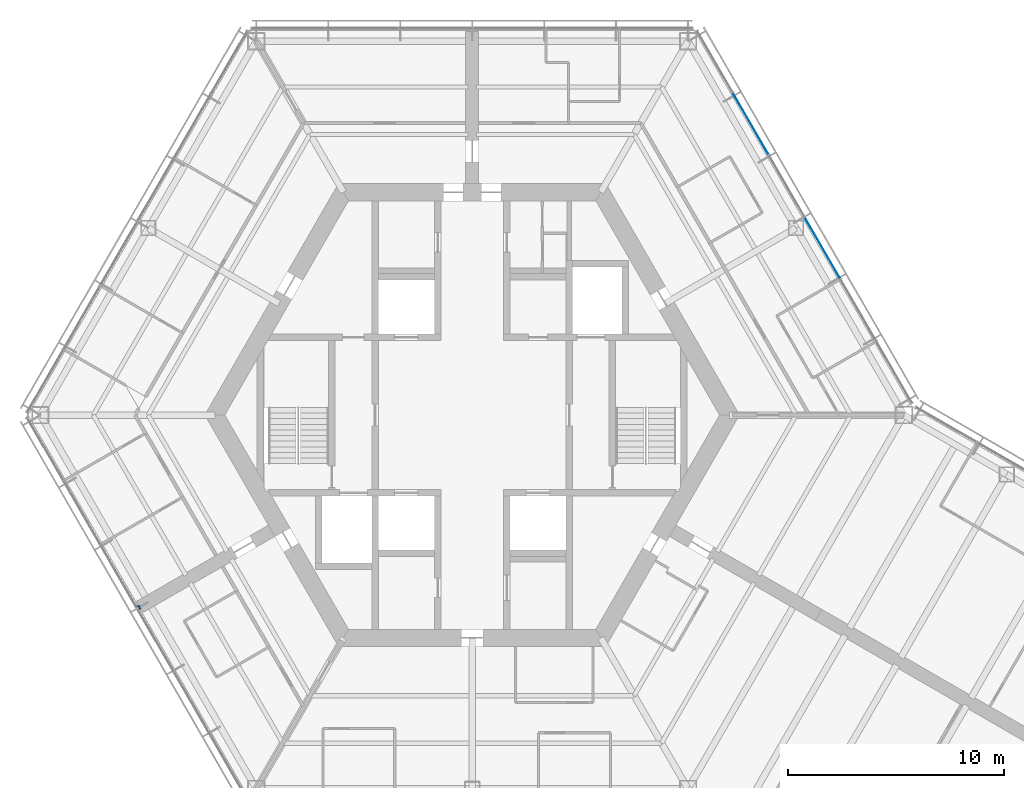
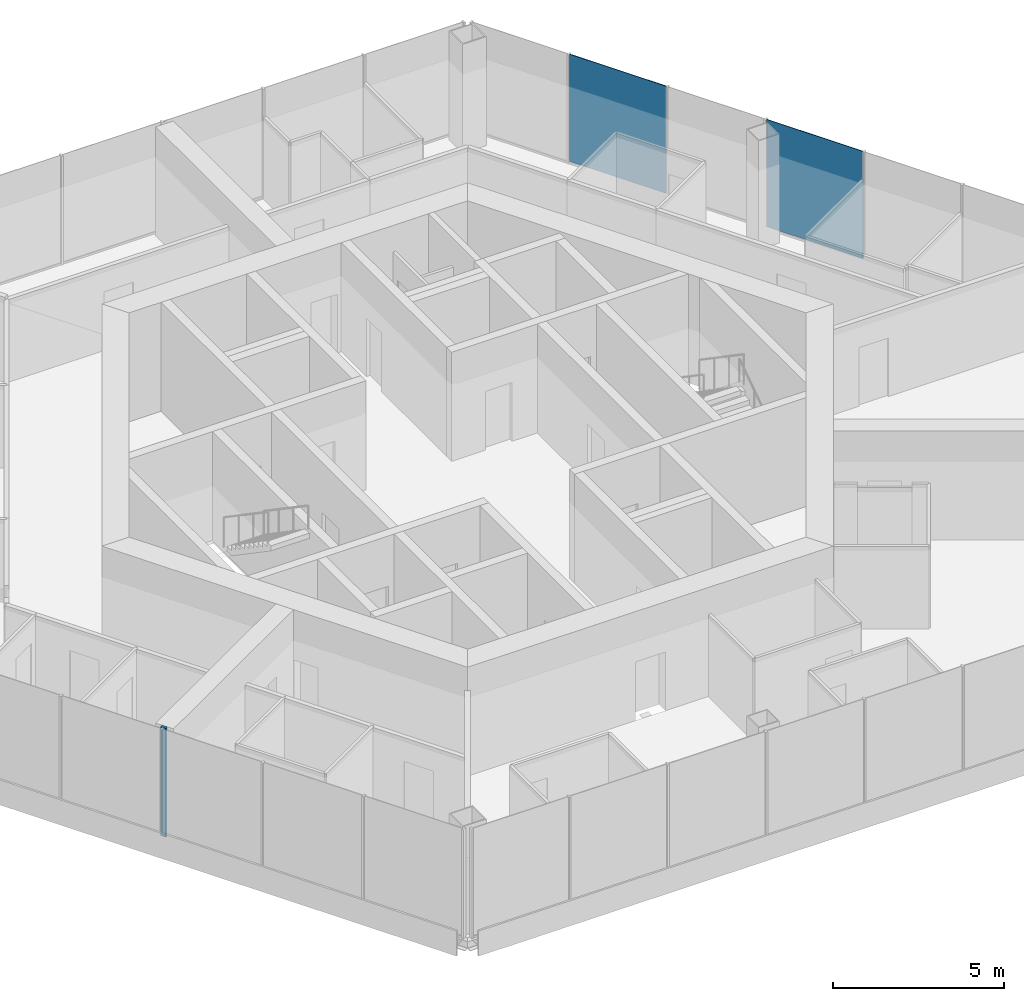
# One storey, part 9 of 17: 2 plates, 1 wall, 1 element without a shape of its own.
"""IFC4 building model written with IfcOpenShell, lengths in metres."""

from ifc_helpers import new_model, si_unit, direction, frame, frame_2d, origin, origin_2d, place, context, subcontext, project, spatial, rectangle, extrude, material, layer, layer_set, type_object, element, aggregate, save


model = new_model("IFC4")

# Units and contexts
model_context = context("Model", 3, precision=1e-05, world=origin(), true_north=direction((0.0, 1.0)))
body_context = subcontext(model_context, "Body", "Model", "MODEL_VIEW")
ifc_project = project(units=[si_unit("LENGTHUNIT", "METRE"), si_unit("AREAUNIT", "SQUARE_METRE"), si_unit("VOLUMEUNIT", "CUBIC_METRE"), si_unit("PLANEANGLEUNIT", "RADIAN"), si_unit("MASSUNIT", "GRAM", prefix="KILO")], contexts=[model_context])

# Site, building, storey
site_placement = place(None, origin())
site = spatial("IfcSite", under=ifc_project, at=site_placement, CompositionType="ELEMENT")
building_placement = place(site_placement, origin())
building = spatial("IfcBuilding", under=site, at=building_placement, Name="Kasaneha Research Tower", CompositionType="ELEMENT")
storey_placement = place(building_placement, frame((0.0, 0.0, 228.39990234375)))
storey = spatial("IfcBuildingStorey", under=building, at=storey_placement, Name="L57", CompositionType="ELEMENT", Elevation=228.39990234375)

# Curtain wall, plates
ifc_material_1 = material(Name="Glass and aluminium", Category="aluminium")
curtain_wall_type = type_object("IfcCurtainWallType", Name="High-rise office curtain wall", PredefinedType="USERDEFINED", material=ifc_material_1)
curtain_wall_placement = place(storey_placement, origin())
curtain_wall = element("IfcCurtainWall", 1, at=curtain_wall_placement, inside=storey, type_object=curtain_wall_type, Name="CW-O3 L57 run 01a", ObjectType="UNITISED CURTAIN WALL", PredefinedType="USERDEFINED")
ifc_material_2 = material(Name="Laminated double glazing", Category="glass")
ifc_layer_1 = layer(ifc_material_2, 0.02392578125)
ifc_layer_set_1 = layer_set([ifc_layer_1], Name="CW-O3 glazed panel")
plate_type = type_object("IfcPlateType", Name="CW-O3 glazed panel", PredefinedType="CURTAIN_PANEL", material=ifc_layer_set_1)
plate_1_placement = place(storey_placement, frame((16.2255859375, 7.737548828125, 0.06005859375), z_axis=(0.0, 0.0, 1.0), x_axis=(-0.499999979232, 0.866025415775, 0.0)))
plate_1 = element("IfcPlate", 2, at=plate_1_placement, type_object=plate_type, Name="CW-O3 panel 3", PredefinedType="CURTAIN_PANEL", context=body_context, shape_type="SweptSolid", body=[
    extrude(rectangle(XDim=3.27099609375, YDim=0.02392578125, at=origin_2d()), origin(), (0.0, 0.0, 1.0), 3.840087890625),
])
plate_2_placement = place(storey_placement, frame((12.89453125, 13.5068359375, 0.06005859375), z_axis=(0.0, 0.0, 1.0), x_axis=(-0.499999979232, 0.866025415775, 0.0)))
plate_2 = element("IfcPlate", 3, at=plate_2_placement, type_object=plate_type, Name="CW-O3 panel 5", PredefinedType="CURTAIN_PANEL", context=body_context, shape_type="SweptSolid", body=[
    extrude(rectangle(XDim=3.27099609375, YDim=0.02392578125, at=origin_2d()), origin(), (0.0, 0.0, 1.0), 3.840087890625),
])
aggregate(curtain_wall, [plate_1, plate_2])

# Wall
ifc_material_3 = material(Name="Gypsum board on steel studs, two layers each side", Category="steel")
ifc_layer_2 = layer(ifc_material_3, 0.175048828125)
ifc_layer_set_2 = layer_set([ifc_layer_2], Name="Tenancy fire partition 175")
wall_type = type_object("IfcWallType", Name="Tenancy fire partition 175", PredefinedType="PARTITIONING", material=ifc_layer_set_2)
wall_placement = place(storey_placement, frame((-15.3896484375, -8.88525390625, 0.0), z_axis=(0.0, 0.0, 1.0), x_axis=(-0.866472036435, -0.499225610396, 0.0)))
element("IfcWall", 4, at=wall_placement, inside=storey, type_object=wall_type, Name="Spine wall closer SW4-600 L57", PredefinedType="PARTITIONING", context=body_context, shape_type="SweptSolid", body=[
    extrude(rectangle(XDim=0.085205078125, YDim=0.175048828125, at=frame_2d((0.04248046875, 0.0))), origin(), (0.0, 0.0, 1.0), 3.900146484375),
])

save(model, "model.ifc")
